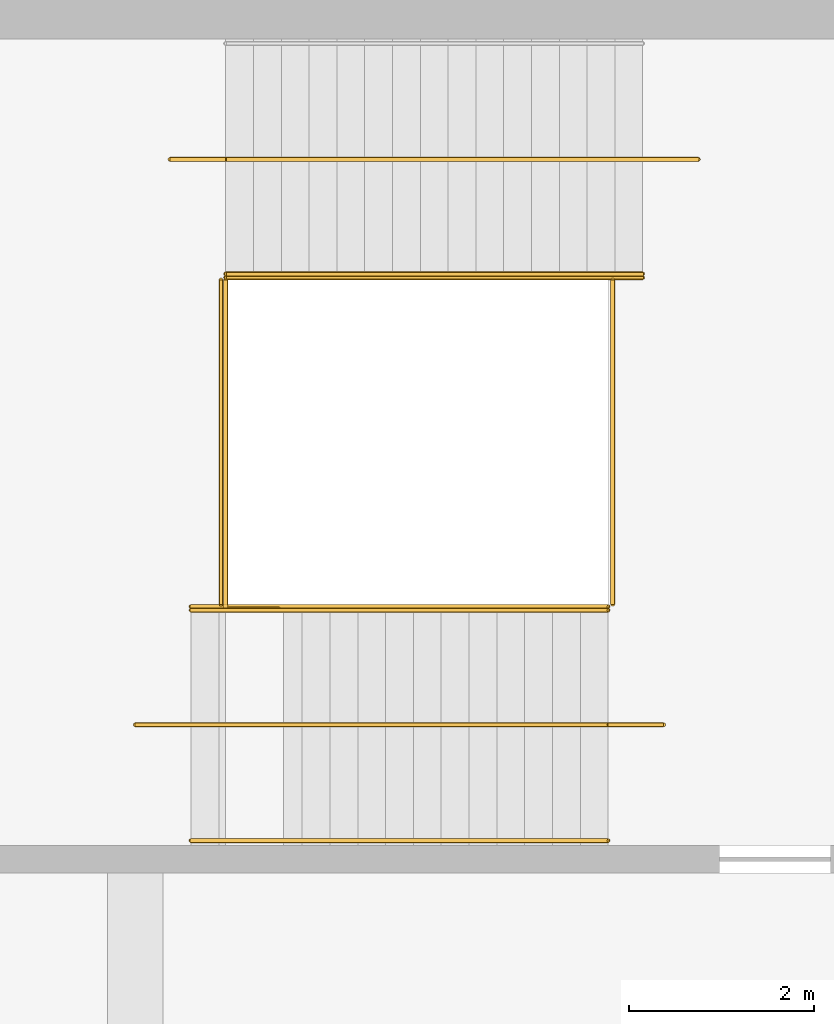
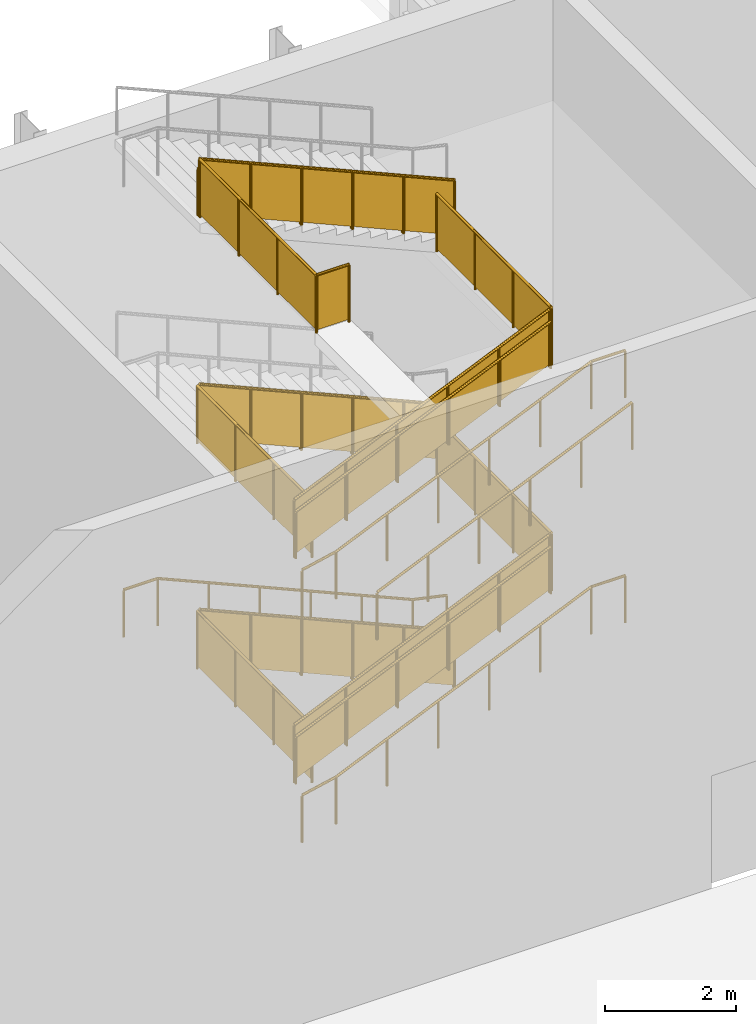
# One storey, part 172 of 182: 19 railings.
"""IFC4 building model written with IfcOpenShell, lengths in metres."""

from ifc_helpers import new_model, si_unit, direction, frame, origin, origin_2d, place, context, subcontext, project, spatial, polyline, circle, outline, extrude, material, type_object, element, save


model = new_model("IFC4")

# Units and contexts
model_context = context("Model", 3, precision=1e-05, world=origin(), true_north=direction((0.0, 1.0)))
body_context = subcontext(model_context, "Body", "Model", "MODEL_VIEW")
ifc_project = project(units=[si_unit("LENGTHUNIT", "METRE"), si_unit("AREAUNIT", "SQUARE_METRE"), si_unit("VOLUMEUNIT", "CUBIC_METRE"), si_unit("PLANEANGLEUNIT", "RADIAN"), si_unit("MASSUNIT", "GRAM", prefix="KILO")], contexts=[model_context])

# Site, building, storey
site_placement = place(None, origin())
site = spatial("IfcSite", under=ifc_project, at=site_placement, CompositionType="ELEMENT")
building_placement = place(site_placement, origin())
building = spatial("IfcBuilding", under=site, at=building_placement, Name="Silverbay Arena", CompositionType="ELEMENT")
storey_placement = place(building_placement, frame((0.0, 0.0, 11.5)))
storey = spatial("IfcBuildingStorey", under=building, at=storey_placement, Name="L02", CompositionType="ELEMENT", Elevation=11.5)

# Railings
ifc_material_1 = material(Name="Stainless steel", Category="steel")
railing_type_1 = type_object("IfcRailingType", Name="Stair guard 1100", PredefinedType="GUARDRAIL", material=ifc_material_1)
railing_1_placement = place(storey_placement, frame((113.47412109375, 141.425048828125, 0.13134765625)))
element("IfcRailing", 1, at=railing_1_placement, inside=storey, type_object=railing_type_1, Name="Stair ST-N2 L02 to L03 flight 1 guard left", PredefinedType="GUARDRAIL", context=body_context, shape_type="SweptSolid", body=[
    extrude(circle(Radius=0.02392578125, at=origin_2d()), frame((0.0, 0.0, 1.076171875), z_axis=(-0.916157334902, 0.0, 0.40081883402), x_axis=(0.0, -1.0, 0.0)), (0.0, 0.0, 1.0), 4.911865234375),
    extrude(outline(polyline([(-0.008056640625, 0.04638671875), (0.907958984375, 0.447265625), (0.907958984375, 1.4501953125), (-0.008056640625, 1.049560546875), (-0.008056640625, 0.04638671875)])), frame((0.0, -0.0029296875, 0.0), z_axis=(0.0, 1.0, 0.0), x_axis=(-1.0, 0.0, 0.0)), (0.0, 0.0, 1.0), 0.006103515625),
    extrude(outline(polyline([(-0.008056640625, 0.440185546875), (0.907958984375, 0.841064453125), (0.907958984375, 1.843994140625), (-0.008056640625, 1.443359375), (-0.008056640625, 0.440185546875)])), frame((-0.89990234375, -0.0029296875, 0.0), z_axis=(0.0, 1.0, 0.0), x_axis=(-1.0, 0.0, 0.0)), (0.0, 0.0, 1.0), 0.006103515625),
    extrude(outline(polyline([(-0.008056640625, 0.833984375), (0.907958984375, 1.23486328125), (0.907958984375, 2.23779296875), (-0.008056640625, 1.8369140625), (-0.008056640625, 0.833984375)])), frame((-1.800048828125, -0.0029296875, 0.0), z_axis=(0.0, 1.0, 0.0), x_axis=(-1.0, 0.0, 0.0)), (0.0, 0.0, 1.0), 0.006103515625),
    extrude(outline(polyline([(-0.008056640625, 1.227783203125), (0.907958984375, 1.62841796875), (0.907958984375, 2.631591796875), (-0.008056640625, 2.230712890625), (-0.008056640625, 1.227783203125)])), frame((-2.699951171875, -0.0029296875, 0.0), z_axis=(0.0, 1.0, 0.0), x_axis=(-1.0, 0.0, 0.0)), (0.0, 0.0, 1.0), 0.006103515625),
    extrude(outline(polyline([(-0.008056640625, 1.62158203125), (0.907958984375, 2.022216796875), (0.907958984375, 3.025146484375), (-0.008056640625, 2.62451171875), (-0.008056640625, 1.62158203125)])), frame((-3.60009765625, -0.0029296875, 0.0), z_axis=(0.0, 1.0, 0.0), x_axis=(-1.0, 0.0, 0.0)), (0.0, 0.0, 1.0), 0.006103515625),
    extrude(circle(Radius=0.02099609375, at=origin_2d()), origin(), (0.0, 0.0, 1.0), 1.052001953125),
    extrude(circle(Radius=0.02099609375, at=origin_2d()), frame((-0.89990234375, 0.0, 0.393798828125)), (0.0, 0.0, 1.0), 1.052001953125),
    extrude(circle(Radius=0.02099609375, at=origin_2d()), frame((-1.800048828125, 0.0, 0.78759765625)), (0.0, 0.0, 1.0), 1.052001953125),
    extrude(circle(Radius=0.02099609375, at=origin_2d()), frame((-2.699951171875, 0.0, 1.18115234375)), (0.0, 0.0, 1.0), 1.052001953125),
    extrude(circle(Radius=0.02099609375, at=origin_2d()), frame((-3.60009765625, 0.0, 1.574951171875)), (0.0, 0.0, 1.0), 1.052001953125),
    extrude(circle(Radius=0.02099609375, at=origin_2d()), frame((-4.5, 0.0, 1.96875)), (0.0, 0.0, 1.0), 1.052001953125),
])
railing_2_placement = place(storey_placement, frame((108.60009765625, 137.875, 2.231201171875)))
element("IfcRailing", 2, at=railing_2_placement, inside=storey, type_object=railing_type_1, Name="Stair ST-N2 L02 to L03 flight 2 guard right", PredefinedType="GUARDRAIL", context=body_context, shape_type="SweptSolid", body=[
    extrude(circle(Radius=0.02392578125, at=origin_2d()), frame((0.0, 0.0, 1.076171875), z_axis=(0.916157334902, 0.0, 0.40081883402), x_axis=(0.0, 1.0, 0.0)), (0.0, 0.0, 1.0), 4.911865234375),
    extrude(outline(polyline([(-0.008056640625, 0.04638671875), (0.907958984375, 0.447265625), (0.907958984375, 1.4501953125), (-0.008056640625, 1.049560546875), (-0.008056640625, 0.04638671875)])), frame((0.0, 0.0029296875, 0.0), z_axis=(0.0, -1.0, 0.0), x_axis=(1.0, 0.0, 0.0)), (0.0, 0.0, 1.0), 0.006103515625),
    extrude(outline(polyline([(-0.008056640625, 0.440185546875), (0.907958984375, 0.841064453125), (0.907958984375, 1.843994140625), (-0.008056640625, 1.443359375), (-0.008056640625, 0.440185546875)])), frame((0.89990234375, 0.0029296875, 0.0), z_axis=(0.0, -1.0, 0.0), x_axis=(1.0, 0.0, 0.0)), (0.0, 0.0, 1.0), 0.006103515625),
    extrude(outline(polyline([(-0.008056640625, 0.833984375), (0.907958984375, 1.23486328125), (0.907958984375, 2.23779296875), (-0.008056640625, 1.8369140625), (-0.008056640625, 0.833984375)])), frame((1.800048828125, 0.0029296875, 0.0), z_axis=(0.0, -1.0, 0.0), x_axis=(1.0, 0.0, 0.0)), (0.0, 0.0, 1.0), 0.006103515625),
    extrude(outline(polyline([(-0.008056640625, 1.227783203125), (0.907958984375, 1.62841796875), (0.907958984375, 2.631591796875), (-0.008056640625, 2.230712890625), (-0.008056640625, 1.227783203125)])), frame((2.699951171875, 0.0029296875, 0.0), z_axis=(0.0, -1.0, 0.0), x_axis=(1.0, 0.0, 0.0)), (0.0, 0.0, 1.0), 0.006103515625),
    extrude(outline(polyline([(-0.008056640625, 1.62158203125), (0.907958984375, 2.022216796875), (0.907958984375, 3.025146484375), (-0.008056640625, 2.62451171875), (-0.008056640625, 1.62158203125)])), frame((3.60009765625, 0.0029296875, 0.0), z_axis=(0.0, -1.0, 0.0), x_axis=(1.0, 0.0, 0.0)), (0.0, 0.0, 1.0), 0.006103515625),
    extrude(circle(Radius=0.02099609375, at=origin_2d()), origin(), (0.0, 0.0, 1.0), 1.052001953125),
    extrude(circle(Radius=0.02099609375, at=origin_2d()), frame((0.89990234375, 0.0, 0.393798828125)), (0.0, 0.0, 1.0), 1.052001953125),
    extrude(circle(Radius=0.02099609375, at=origin_2d()), frame((1.800048828125, 0.0, 0.78759765625)), (0.0, 0.0, 1.0), 1.052001953125),
    extrude(circle(Radius=0.02099609375, at=origin_2d()), frame((2.699951171875, 0.0, 1.18115234375)), (0.0, 0.0, 1.0), 1.052001953125),
    extrude(circle(Radius=0.02099609375, at=origin_2d()), frame((3.60009765625, 0.0, 1.574951171875)), (0.0, 0.0, 1.0), 1.052001953125),
    extrude(circle(Radius=0.02099609375, at=origin_2d()), frame((4.5, 0.0, 1.96875)), (0.0, 0.0, 1.0), 1.052001953125),
])
railing_3_placement = place(storey_placement, frame((113.47412109375, 141.425048828125, 4.331298828125)))
element("IfcRailing", 3, at=railing_3_placement, inside=storey, type_object=railing_type_1, Name="Stair ST-N2 L02 to L03 flight 3 guard left", PredefinedType="GUARDRAIL", context=body_context, shape_type="SweptSolid", body=[
    extrude(circle(Radius=0.02392578125, at=origin_2d()), frame((0.0, 0.0, 1.076171875), z_axis=(-0.916157334902, 0.0, 0.40081883402), x_axis=(0.0, -1.0, 0.0)), (0.0, 0.0, 1.0), 4.911865234375),
    extrude(outline(polyline([(-0.008056640625, 0.04638671875), (0.907958984375, 0.447265625), (0.907958984375, 1.4501953125), (-0.008056640625, 1.049560546875), (-0.008056640625, 0.04638671875)])), frame((0.0, -0.0029296875, 0.0), z_axis=(0.0, 1.0, 0.0), x_axis=(-1.0, 0.0, 0.0)), (0.0, 0.0, 1.0), 0.006103515625),
    extrude(outline(polyline([(-0.008056640625, 0.440185546875), (0.907958984375, 0.841064453125), (0.907958984375, 1.843994140625), (-0.008056640625, 1.443359375), (-0.008056640625, 0.440185546875)])), frame((-0.89990234375, -0.0029296875, 0.0), z_axis=(0.0, 1.0, 0.0), x_axis=(-1.0, 0.0, 0.0)), (0.0, 0.0, 1.0), 0.006103515625),
    extrude(outline(polyline([(-0.008056640625, 0.833984375), (0.907958984375, 1.23486328125), (0.907958984375, 2.23779296875), (-0.008056640625, 1.8369140625), (-0.008056640625, 0.833984375)])), frame((-1.800048828125, -0.0029296875, 0.0), z_axis=(0.0, 1.0, 0.0), x_axis=(-1.0, 0.0, 0.0)), (0.0, 0.0, 1.0), 0.006103515625),
    extrude(outline(polyline([(-0.008056640625, 1.227783203125), (0.907958984375, 1.62841796875), (0.907958984375, 2.631591796875), (-0.008056640625, 2.230712890625), (-0.008056640625, 1.227783203125)])), frame((-2.699951171875, -0.0029296875, 0.0), z_axis=(0.0, 1.0, 0.0), x_axis=(-1.0, 0.0, 0.0)), (0.0, 0.0, 1.0), 0.006103515625),
    extrude(outline(polyline([(-0.008056640625, 1.62158203125), (0.907958984375, 2.022216796875), (0.907958984375, 3.025146484375), (-0.008056640625, 2.62451171875), (-0.008056640625, 1.62158203125)])), frame((-3.60009765625, -0.0029296875, 0.0), z_axis=(0.0, 1.0, 0.0), x_axis=(-1.0, 0.0, 0.0)), (0.0, 0.0, 1.0), 0.006103515625),
    extrude(circle(Radius=0.02099609375, at=origin_2d()), origin(), (0.0, 0.0, 1.0), 1.052001953125),
    extrude(circle(Radius=0.02099609375, at=origin_2d()), frame((-0.89990234375, 0.0, 0.393798828125)), (0.0, 0.0, 1.0), 1.052001953125),
    extrude(circle(Radius=0.02099609375, at=origin_2d()), frame((-1.800048828125, 0.0, 0.78759765625)), (0.0, 0.0, 1.0), 1.052001953125),
    extrude(circle(Radius=0.02099609375, at=origin_2d()), frame((-2.699951171875, 0.0, 1.18115234375)), (0.0, 0.0, 1.0), 1.052001953125),
    extrude(circle(Radius=0.02099609375, at=origin_2d()), frame((-3.60009765625, 0.0, 1.574951171875)), (0.0, 0.0, 1.0), 1.052001953125),
    extrude(circle(Radius=0.02099609375, at=origin_2d()), frame((-4.5, 0.0, 1.96875)), (0.0, 0.0, 1.0), 1.052001953125),
])
railing_4_placement = place(storey_placement, frame((108.60009765625, 137.875, 6.43115234375)))
element("IfcRailing", 4, at=railing_4_placement, inside=storey, type_object=railing_type_1, Name="Stair ST-N2 L02 to L03 flight 4 guard right", PredefinedType="GUARDRAIL", context=body_context, shape_type="SweptSolid", body=[
    extrude(circle(Radius=0.02392578125, at=origin_2d()), frame((0.0, 0.0, 1.076171875), z_axis=(0.916157334902, 0.0, 0.40081883402), x_axis=(0.0, 1.0, 0.0)), (0.0, 0.0, 1.0), 4.911865234375),
    extrude(outline(polyline([(-0.008056640625, 0.04638671875), (0.907958984375, 0.447265625), (0.907958984375, 1.4501953125), (-0.008056640625, 1.049560546875), (-0.008056640625, 0.04638671875)])), frame((0.0, 0.0029296875, 0.0), z_axis=(0.0, -1.0, 0.0), x_axis=(1.0, 0.0, 0.0)), (0.0, 0.0, 1.0), 0.006103515625),
    extrude(outline(polyline([(-0.008056640625, 0.440185546875), (0.907958984375, 0.841064453125), (0.907958984375, 1.843994140625), (-0.008056640625, 1.443359375), (-0.008056640625, 0.440185546875)])), frame((0.89990234375, 0.0029296875, 0.0), z_axis=(0.0, -1.0, 0.0), x_axis=(1.0, 0.0, 0.0)), (0.0, 0.0, 1.0), 0.006103515625),
    extrude(outline(polyline([(-0.008056640625, 0.833984375), (0.907958984375, 1.23486328125), (0.907958984375, 2.23779296875), (-0.008056640625, 1.8369140625), (-0.008056640625, 0.833984375)])), frame((1.800048828125, 0.0029296875, 0.0), z_axis=(0.0, -1.0, 0.0), x_axis=(1.0, 0.0, 0.0)), (0.0, 0.0, 1.0), 0.006103515625),
    extrude(outline(polyline([(-0.008056640625, 1.227783203125), (0.907958984375, 1.62841796875), (0.907958984375, 2.631591796875), (-0.008056640625, 2.230712890625), (-0.008056640625, 1.227783203125)])), frame((2.699951171875, 0.0029296875, 0.0), z_axis=(0.0, -1.0, 0.0), x_axis=(1.0, 0.0, 0.0)), (0.0, 0.0, 1.0), 0.006103515625),
    extrude(outline(polyline([(-0.008056640625, 1.62158203125), (0.907958984375, 2.022216796875), (0.907958984375, 3.025146484375), (-0.008056640625, 2.62451171875), (-0.008056640625, 1.62158203125)])), frame((3.60009765625, 0.0029296875, 0.0), z_axis=(0.0, -1.0, 0.0), x_axis=(1.0, 0.0, 0.0)), (0.0, 0.0, 1.0), 0.006103515625),
    extrude(circle(Radius=0.02099609375, at=origin_2d()), origin(), (0.0, 0.0, 1.0), 1.052001953125),
    extrude(circle(Radius=0.02099609375, at=origin_2d()), frame((0.89990234375, 0.0, 0.393798828125)), (0.0, 0.0, 1.0), 1.052001953125),
    extrude(circle(Radius=0.02099609375, at=origin_2d()), frame((1.800048828125, 0.0, 0.78759765625)), (0.0, 0.0, 1.0), 1.052001953125),
    extrude(circle(Radius=0.02099609375, at=origin_2d()), frame((2.699951171875, 0.0, 1.18115234375)), (0.0, 0.0, 1.0), 1.052001953125),
    extrude(circle(Radius=0.02099609375, at=origin_2d()), frame((3.60009765625, 0.0, 1.574951171875)), (0.0, 0.0, 1.0), 1.052001953125),
    extrude(circle(Radius=0.02099609375, at=origin_2d()), frame((4.5, 0.0, 1.96875)), (0.0, 0.0, 1.0), 1.052001953125),
])
railing_5_placement = place(storey_placement, frame((113.47412109375, 141.425048828125, 8.53125)))
element("IfcRailing", 5, at=railing_5_placement, inside=storey, type_object=railing_type_1, Name="Stair ST-N2 L02 to L03 flight 5 guard left", PredefinedType="GUARDRAIL", context=body_context, shape_type="SweptSolid", body=[
    extrude(circle(Radius=0.02392578125, at=origin_2d()), frame((0.0, 0.0, 1.076171875), z_axis=(-0.916157334902, 0.0, 0.40081883402), x_axis=(0.0, -1.0, 0.0)), (0.0, 0.0, 1.0), 4.911865234375),
    extrude(outline(polyline([(-0.008056640625, 0.04638671875), (0.907958984375, 0.447265625), (0.907958984375, 1.4501953125), (-0.008056640625, 1.049560546875), (-0.008056640625, 0.04638671875)])), frame((0.0, -0.0029296875, 0.0), z_axis=(0.0, 1.0, 0.0), x_axis=(-1.0, 0.0, 0.0)), (0.0, 0.0, 1.0), 0.006103515625),
    extrude(outline(polyline([(-0.008056640625, 0.440185546875), (0.907958984375, 0.841064453125), (0.907958984375, 1.843994140625), (-0.008056640625, 1.443359375), (-0.008056640625, 0.440185546875)])), frame((-0.89990234375, -0.0029296875, 0.0), z_axis=(0.0, 1.0, 0.0), x_axis=(-1.0, 0.0, 0.0)), (0.0, 0.0, 1.0), 0.006103515625),
    extrude(outline(polyline([(-0.008056640625, 0.833984375), (0.907958984375, 1.23486328125), (0.907958984375, 2.23779296875), (-0.008056640625, 1.8369140625), (-0.008056640625, 0.833984375)])), frame((-1.800048828125, -0.0029296875, 0.0), z_axis=(0.0, 1.0, 0.0), x_axis=(-1.0, 0.0, 0.0)), (0.0, 0.0, 1.0), 0.006103515625),
    extrude(outline(polyline([(-0.008056640625, 1.227783203125), (0.907958984375, 1.62841796875), (0.907958984375, 2.631591796875), (-0.008056640625, 2.230712890625), (-0.008056640625, 1.227783203125)])), frame((-2.699951171875, -0.0029296875, 0.0), z_axis=(0.0, 1.0, 0.0), x_axis=(-1.0, 0.0, 0.0)), (0.0, 0.0, 1.0), 0.006103515625),
    extrude(outline(polyline([(-0.008056640625, 1.62158203125), (0.907958984375, 2.022216796875), (0.907958984375, 3.025146484375), (-0.008056640625, 2.62451171875), (-0.008056640625, 1.62158203125)])), frame((-3.60009765625, -0.0029296875, 0.0), z_axis=(0.0, 1.0, 0.0), x_axis=(-1.0, 0.0, 0.0)), (0.0, 0.0, 1.0), 0.006103515625),
    extrude(circle(Radius=0.02099609375, at=origin_2d()), origin(), (0.0, 0.0, 1.0), 1.052001953125),
    extrude(circle(Radius=0.02099609375, at=origin_2d()), frame((-0.89990234375, 0.0, 0.393798828125)), (0.0, 0.0, 1.0), 1.052001953125),
    extrude(circle(Radius=0.02099609375, at=origin_2d()), frame((-1.800048828125, 0.0, 0.78759765625)), (0.0, 0.0, 1.0), 1.052001953125),
    extrude(circle(Radius=0.02099609375, at=origin_2d()), frame((-2.699951171875, 0.0, 1.18115234375)), (0.0, 0.0, 1.0), 1.052001953125),
    extrude(circle(Radius=0.02099609375, at=origin_2d()), frame((-3.60009765625, 0.0, 1.574951171875)), (0.0, 0.0, 1.0), 1.052001953125),
    extrude(circle(Radius=0.02099609375, at=origin_2d()), frame((-4.5, 0.0, 1.96875)), (0.0, 0.0, 1.0), 1.052001953125),
])
for number, where, name in (
    (6, (108.92431640625, 137.89990234375, 2.10009765625), "Stair ST-N2 L02 to L03 landing 1 guard"),
    (7, (113.14990234375, 137.89990234375, 4.199951171875), "Stair ST-N2 L02 to L03 landing 2 guard"),
    (8, (108.92431640625, 137.89990234375, 6.300048828125), "Stair ST-N2 L02 to L03 landing 3 guard"),
    (9, (113.14990234375, 137.89990234375, 8.39990234375), "Stair ST-N2 L02 to L03 landing 4 guard"),
):
    element("IfcRailing", number, at=place(storey_placement, frame(where)), inside=storey, type_object=railing_type_1, Name=name, PredefinedType="GUARDRAIL", context=body_context, shape_type="SweptSolid", body=[
        extrude(circle(Radius=0.02392578125, at=origin_2d()), frame((0.0, 0.0, 1.076171875), z_axis=(0.0, 1.0, 0.0), x_axis=(-1.0, 0.0, 0.0)), (0.0, 0.0, 1.0), 3.5),
        extrude(outline(polyline([(-0.008056640625, 0.050048828125), (1.174560546875, 0.050048828125), (1.174560546875, 1.052978515625), (-0.008056640625, 1.052978515625), (-0.008056640625, 0.050048828125)])), frame((-0.0029296875, 0.0, 0.0), z_axis=(1.0, 0.0, 0.0), x_axis=(0.0, 1.0, 0.0)), (0.0, 0.0, 1.0), 0.006103515625),
        extrude(outline(polyline([(-0.008056640625, 0.050048828125), (1.174560546875, 0.050048828125), (1.174560546875, 1.052978515625), (-0.008056640625, 1.052978515625), (-0.008056640625, 0.050048828125)])), frame((-0.0029296875, 1.166748046875, 0.0), z_axis=(1.0, 0.0, 0.0), x_axis=(0.0, 1.0, 0.0)), (0.0, 0.0, 1.0), 0.006103515625),
        extrude(outline(polyline([(-0.008056640625, 0.050048828125), (1.174560546875, 0.050048828125), (1.174560546875, 1.052978515625), (-0.008056640625, 1.052978515625), (-0.008056640625, 0.050048828125)])), frame((-0.0029296875, 2.333251953125, 0.0), z_axis=(1.0, 0.0, 0.0), x_axis=(0.0, 1.0, 0.0)), (0.0, 0.0, 1.0), 0.006103515625),
        extrude(circle(Radius=0.02099609375, at=origin_2d()), origin(), (0.0, 0.0, 1.0), 1.052001953125),
        extrude(circle(Radius=0.02099609375, at=origin_2d()), frame((0.0, 1.166748046875, 0.0)), (0.0, 0.0, 1.0), 1.052001953125),
        extrude(circle(Radius=0.02099609375, at=origin_2d()), frame((0.0, 2.333251953125, 0.0)), (0.0, 0.0, 1.0), 1.052001953125),
        extrude(circle(Radius=0.02099609375, at=origin_2d()), frame((0.0, 3.5, 0.0)), (0.0, 0.0, 1.0), 1.052001953125),
    ])
railing_6_placement = place(storey_placement, frame((109.550048828125, 137.85009765625, 10.5)))
element("IfcRailing", 10, at=railing_6_placement, inside=storey, type_object=railing_type_1, Name="Stair ST-N2 L02 to L03 landing 5 guard", PredefinedType="GUARDRAIL", context=body_context, shape_type="SweptSolid", body=[
    extrude(circle(Radius=0.02392578125, at=origin_2d()), frame((0.0, 0.0, 1.076171875), z_axis=(-1.0, 0.0, 0.0), x_axis=(0.0, -1.0, 0.0)), (0.0, 0.0, 1.0), 0.575927734375),
    extrude(outline(polyline([(-0.008056640625, 0.050048828125), (0.583984375, 0.050048828125), (0.583984375, 1.052978515625), (-0.008056640625, 1.052978515625), (-0.008056640625, 0.050048828125)])), frame((0.0, -0.0029296875, 0.0), z_axis=(0.0, 1.0, 0.0), x_axis=(-1.0, 0.0, 0.0)), (0.0, 0.0, 1.0), 0.006103515625),
    extrude(circle(Radius=0.02392578125, at=origin_2d()), frame((-0.575927734375, 0.0, 1.076171875), z_axis=(0.0, 1.0, 0.0), x_axis=(-1.0, 0.0, 0.0)), (0.0, 0.0, 1.0), 3.5498046875),
    extrude(outline(polyline([(-0.008056640625, 0.050048828125), (1.191162109375, 0.050048828125), (1.191162109375, 1.052978515625), (-0.008056640625, 1.052978515625), (-0.008056640625, 0.050048828125)])), frame((-0.578857421875, 0.0, 0.0), z_axis=(1.0, 0.0, 0.0), x_axis=(0.0, 1.0, 0.0)), (0.0, 0.0, 1.0), 0.006103515625),
    extrude(outline(polyline([(-0.008056640625, 0.050048828125), (1.191162109375, 0.050048828125), (1.191162109375, 1.052978515625), (-0.008056640625, 1.052978515625), (-0.008056640625, 0.050048828125)])), frame((-0.578857421875, 1.183349609375, 0.0), z_axis=(1.0, 0.0, 0.0), x_axis=(0.0, 1.0, 0.0)), (0.0, 0.0, 1.0), 0.006103515625),
    extrude(outline(polyline([(-0.008056640625, 0.050048828125), (1.191162109375, 0.050048828125), (1.191162109375, 1.052978515625), (-0.008056640625, 1.052978515625), (-0.008056640625, 0.050048828125)])), frame((-0.578857421875, 2.366455078125, 0.0), z_axis=(1.0, 0.0, 0.0), x_axis=(0.0, 1.0, 0.0)), (0.0, 0.0, 1.0), 0.006103515625),
    extrude(circle(Radius=0.02099609375, at=origin_2d()), origin(), (0.0, 0.0, 1.0), 1.052001953125),
    extrude(circle(Radius=0.02099609375, at=origin_2d()), frame((-0.575927734375, 0.0, 0.0)), (0.0, 0.0, 1.0), 1.052001953125),
    extrude(circle(Radius=0.02099609375, at=origin_2d()), frame((-0.575927734375, 1.183349609375, 0.0)), (0.0, 0.0, 1.0), 1.052001953125),
    extrude(circle(Radius=0.02099609375, at=origin_2d()), frame((-0.575927734375, 2.366455078125, 0.0)), (0.0, 0.0, 1.0), 1.052001953125),
    extrude(circle(Radius=0.02099609375, at=origin_2d()), frame((-0.575927734375, 3.5498046875, 0.0)), (0.0, 0.0, 1.0), 1.052001953125),
])
ifc_material_2 = material(Name="Stainless steel", Category="steel")
railing_type_2 = type_object("IfcRailingType", Name="Stair handrail 900", PredefinedType="HANDRAIL", material=ifc_material_2)
railing_7_placement = place(storey_placement, frame((113.47412109375, 141.464111328125, 0.13134765625)))
element("IfcRailing", 11, at=railing_7_placement, inside=storey, type_object=railing_type_2, Name="Stair ST-N2 L02 to L03 flight 1 handrail left", PredefinedType="HANDRAIL", context=body_context, shape_type="SweptSolid", body=[
    extrude(circle(Radius=0.02392578125, at=origin_2d()), frame((0.0, 0.0, 0.8759765625), z_axis=(-0.916157334902, 0.0, 0.40081883402), x_axis=(0.0, -1.0, 0.0)), (0.0, 0.0, 1.0), 4.911865234375),
    extrude(circle(Radius=0.02099609375, at=origin_2d()), origin(), (0.0, 0.0, 1.0), 0.851806640625),
    extrude(circle(Radius=0.02099609375, at=origin_2d()), frame((-0.89990234375, 0.0, 0.393798828125)), (0.0, 0.0, 1.0), 0.851806640625),
    extrude(circle(Radius=0.02099609375, at=origin_2d()), frame((-1.800048828125, 0.0, 0.78759765625)), (0.0, 0.0, 1.0), 0.851806640625),
    extrude(circle(Radius=0.02099609375, at=origin_2d()), frame((-2.699951171875, 0.0, 1.18115234375)), (0.0, 0.0, 1.0), 0.851806640625),
    extrude(circle(Radius=0.02099609375, at=origin_2d()), frame((-3.60009765625, 0.0, 1.574951171875)), (0.0, 0.0, 1.0), 0.851806640625),
    extrude(circle(Radius=0.02099609375, at=origin_2d()), frame((-4.5, 0.0, 1.96875)), (0.0, 0.0, 1.0), 0.851806640625),
])
railing_8_placement = place(storey_placement, frame((114.07421875, 142.699951171875, 0.0)))
element("IfcRailing", 12, at=railing_8_placement, inside=storey, type_object=railing_type_2, Name="Stair ST-N2 L02 to L03 flight 1 central handrail", PredefinedType="HANDRAIL", context=body_context, shape_type="SweptSolid", body=[
    extrude(circle(Radius=0.02392578125, at=origin_2d()), frame((0.0, 0.0, 0.8759765625), z_axis=(-0.976874083041, 0.0, 0.213815401414), x_axis=(0.0, -1.0, 0.0)), (0.0, 0.0, 1.0), 0.6142578125),
    extrude(circle(Radius=0.02392578125, at=origin_2d()), frame((-0.60009765625, 0.0, 1.00732421875), z_axis=(-0.916157334902, 0.0, 0.40081883402), x_axis=(0.0, -1.0, 0.0)), (0.0, 0.0, 1.0), 4.911865234375),
    extrude(circle(Radius=0.02392578125, at=origin_2d()), frame((-5.10009765625, 0.0, 2.97607421875), z_axis=(-1.0, 0.0, 0.0), x_axis=(0.0, -1.0, 0.0)), (0.0, 0.0, 1.0), 0.599853515625),
    extrude(circle(Radius=0.02099609375, at=origin_2d()), origin(), (0.0, 0.0, 1.0), 0.851806640625),
    extrude(circle(Radius=0.02099609375, at=origin_2d()), frame((-0.60009765625, 0.0, 0.13134765625)), (0.0, 0.0, 1.0), 0.851806640625),
    extrude(circle(Radius=0.02099609375, at=origin_2d()), frame((-1.5, 0.0, 0.525146484375)), (0.0, 0.0, 1.0), 0.851806640625),
    extrude(circle(Radius=0.02099609375, at=origin_2d()), frame((-2.400146484375, 0.0, 0.9189453125)), (0.0, 0.0, 1.0), 0.851806640625),
    extrude(circle(Radius=0.02099609375, at=origin_2d()), frame((-3.300048828125, 0.0, 1.3125)), (0.0, 0.0, 1.0), 0.851806640625),
    extrude(circle(Radius=0.02099609375, at=origin_2d()), frame((-4.2001953125, 0.0, 1.706298828125)), (0.0, 0.0, 1.0), 0.851806640625),
    extrude(circle(Radius=0.02099609375, at=origin_2d()), frame((-5.10009765625, 0.0, 2.10009765625)), (0.0, 0.0, 1.0), 0.851806640625),
    extrude(circle(Radius=0.02099609375, at=origin_2d()), frame((-5.699951171875, 0.0, 2.10009765625)), (0.0, 0.0, 1.0), 0.851806640625),
])
railing_9_placement = place(storey_placement, frame((108.60009765625, 137.8359375, 2.231201171875)))
element("IfcRailing", 13, at=railing_9_placement, inside=storey, type_object=railing_type_2, Name="Stair ST-N2 L02 to L03 flight 2 handrail right", PredefinedType="HANDRAIL", context=body_context, shape_type="SweptSolid", body=[
    extrude(circle(Radius=0.02392578125, at=origin_2d()), frame((0.0, 0.0, 0.8759765625), z_axis=(0.916157334902, 0.0, 0.40081883402), x_axis=(0.0, 1.0, 0.0)), (0.0, 0.0, 1.0), 4.911865234375),
    extrude(circle(Radius=0.02099609375, at=origin_2d()), origin(), (0.0, 0.0, 1.0), 0.851806640625),
    extrude(circle(Radius=0.02099609375, at=origin_2d()), frame((0.89990234375, 0.0, 0.393798828125)), (0.0, 0.0, 1.0), 0.851806640625),
    extrude(circle(Radius=0.02099609375, at=origin_2d()), frame((1.800048828125, 0.0, 0.78759765625)), (0.0, 0.0, 1.0), 0.851806640625),
    extrude(circle(Radius=0.02099609375, at=origin_2d()), frame((2.699951171875, 0.0, 1.18115234375)), (0.0, 0.0, 1.0), 0.851806640625),
    extrude(circle(Radius=0.02099609375, at=origin_2d()), frame((3.60009765625, 0.0, 1.574951171875)), (0.0, 0.0, 1.0), 0.851806640625),
    extrude(circle(Radius=0.02099609375, at=origin_2d()), frame((4.5, 0.0, 1.96875)), (0.0, 0.0, 1.0), 0.851806640625),
])
railing_10_placement = place(storey_placement, frame((108.0, 136.60009765625, 2.10009765625)))
element("IfcRailing", 14, at=railing_10_placement, inside=storey, type_object=railing_type_2, Name="Stair ST-N2 L02 to L03 flight 2 central handrail", PredefinedType="HANDRAIL", context=body_context, shape_type="SweptSolid", body=[
    extrude(circle(Radius=0.02392578125, at=origin_2d()), frame((0.0, 0.0, 0.8759765625), z_axis=(0.976957027196, 0.0, 0.213436095852), x_axis=(0.0, 1.0, 0.0)), (0.0, 0.0, 1.0), 0.6142578125),
    extrude(circle(Radius=0.02392578125, at=origin_2d()), frame((0.60009765625, 0.0, 1.0068359375), z_axis=(0.916157334902, 0.0, 0.40081883402), x_axis=(0.0, 1.0, 0.0)), (0.0, 0.0, 1.0), 4.911865234375),
    extrude(circle(Radius=0.02392578125, at=origin_2d()), frame((5.10009765625, 0.0, 2.9755859375), z_axis=(1.0, 0.0, 0.0), x_axis=(0.0, 1.0, 0.0)), (0.0, 0.0, 1.0), 0.599853515625),
    extrude(circle(Radius=0.02099609375, at=origin_2d()), origin(), (0.0, 0.0, 1.0), 0.851806640625),
    extrude(circle(Radius=0.02099609375, at=origin_2d()), frame((0.60009765625, 0.0, 0.131103515625)), (0.0, 0.0, 1.0), 0.851806640625),
    extrude(circle(Radius=0.02099609375, at=origin_2d()), frame((1.5, 0.0, 0.52490234375)), (0.0, 0.0, 1.0), 0.851806640625),
    extrude(circle(Radius=0.02099609375, at=origin_2d()), frame((2.400146484375, 0.0, 0.918701171875)), (0.0, 0.0, 1.0), 0.851806640625),
    extrude(circle(Radius=0.02099609375, at=origin_2d()), frame((3.300048828125, 0.0, 1.312255859375)), (0.0, 0.0, 1.0), 0.851806640625),
    extrude(circle(Radius=0.02099609375, at=origin_2d()), frame((4.2001953125, 0.0, 1.7060546875)), (0.0, 0.0, 1.0), 0.851806640625),
    extrude(circle(Radius=0.02099609375, at=origin_2d()), frame((5.10009765625, 0.0, 2.099853515625)), (0.0, 0.0, 1.0), 0.851806640625),
    extrude(circle(Radius=0.02099609375, at=origin_2d()), frame((5.699951171875, 0.0, 2.099853515625)), (0.0, 0.0, 1.0), 0.851806640625),
])
railing_11_placement = place(storey_placement, frame((113.47412109375, 141.464111328125, 4.331298828125)))
element("IfcRailing", 15, at=railing_11_placement, inside=storey, type_object=railing_type_2, Name="Stair ST-N2 L02 to L03 flight 3 handrail left", PredefinedType="HANDRAIL", context=body_context, shape_type="SweptSolid", body=[
    extrude(circle(Radius=0.02392578125, at=origin_2d()), frame((0.0, 0.0, 0.8759765625), z_axis=(-0.916157334902, 0.0, 0.40081883402), x_axis=(0.0, -1.0, 0.0)), (0.0, 0.0, 1.0), 4.911865234375),
    extrude(circle(Radius=0.02099609375, at=origin_2d()), origin(), (0.0, 0.0, 1.0), 0.851806640625),
    extrude(circle(Radius=0.02099609375, at=origin_2d()), frame((-0.89990234375, 0.0, 0.393798828125)), (0.0, 0.0, 1.0), 0.851806640625),
    extrude(circle(Radius=0.02099609375, at=origin_2d()), frame((-1.800048828125, 0.0, 0.78759765625)), (0.0, 0.0, 1.0), 0.851806640625),
    extrude(circle(Radius=0.02099609375, at=origin_2d()), frame((-2.699951171875, 0.0, 1.18115234375)), (0.0, 0.0, 1.0), 0.851806640625),
    extrude(circle(Radius=0.02099609375, at=origin_2d()), frame((-3.60009765625, 0.0, 1.574951171875)), (0.0, 0.0, 1.0), 0.851806640625),
    extrude(circle(Radius=0.02099609375, at=origin_2d()), frame((-4.5, 0.0, 1.96875)), (0.0, 0.0, 1.0), 0.851806640625),
])
for number, where, name in (
    (16, (108.60009765625, 135.35009765625, 6.43115234375), "Stair ST-N2 L02 to L03 flight 4 handrail left"),
    (17, (108.60009765625, 137.8359375, 6.43115234375), "Stair ST-N2 L02 to L03 flight 4 handrail right"),
):
    element("IfcRailing", number, at=place(storey_placement, frame(where)), inside=storey, type_object=railing_type_2, Name=name, PredefinedType="HANDRAIL", context=body_context, shape_type="SweptSolid", body=[
        extrude(circle(Radius=0.02392578125, at=origin_2d()), frame((0.0, 0.0, 0.8759765625), z_axis=(0.916157334902, 0.0, 0.40081883402), x_axis=(0.0, 1.0, 0.0)), (0.0, 0.0, 1.0), 4.911865234375),
        extrude(circle(Radius=0.02099609375, at=origin_2d()), origin(), (0.0, 0.0, 1.0), 0.851806640625),
        extrude(circle(Radius=0.02099609375, at=origin_2d()), frame((0.89990234375, 0.0, 0.393798828125)), (0.0, 0.0, 1.0), 0.851806640625),
        extrude(circle(Radius=0.02099609375, at=origin_2d()), frame((1.800048828125, 0.0, 0.78759765625)), (0.0, 0.0, 1.0), 0.851806640625),
        extrude(circle(Radius=0.02099609375, at=origin_2d()), frame((2.699951171875, 0.0, 1.18115234375)), (0.0, 0.0, 1.0), 0.851806640625),
        extrude(circle(Radius=0.02099609375, at=origin_2d()), frame((3.60009765625, 0.0, 1.574951171875)), (0.0, 0.0, 1.0), 0.851806640625),
        extrude(circle(Radius=0.02099609375, at=origin_2d()), frame((4.5, 0.0, 1.96875)), (0.0, 0.0, 1.0), 0.851806640625),
    ])
railing_12_placement = place(storey_placement, frame((108.0, 136.60009765625, 6.300048828125)))
element("IfcRailing", 18, at=railing_12_placement, inside=storey, type_object=railing_type_2, Name="Stair ST-N2 L02 to L03 flight 4 central handrail", PredefinedType="HANDRAIL", context=body_context, shape_type="SweptSolid", body=[
    extrude(circle(Radius=0.02392578125, at=origin_2d()), frame((0.0, 0.0, 0.8759765625), z_axis=(0.976957027196, 0.0, 0.213436095852), x_axis=(0.0, 1.0, 0.0)), (0.0, 0.0, 1.0), 0.6142578125),
    extrude(circle(Radius=0.02392578125, at=origin_2d()), frame((0.60009765625, 0.0, 1.0068359375), z_axis=(0.916157334902, 0.0, 0.40081883402), x_axis=(0.0, 1.0, 0.0)), (0.0, 0.0, 1.0), 4.911865234375),
    extrude(circle(Radius=0.02392578125, at=origin_2d()), frame((5.10009765625, 0.0, 2.9755859375), z_axis=(1.0, 0.0, 0.0), x_axis=(0.0, 1.0, 0.0)), (0.0, 0.0, 1.0), 0.599853515625),
    extrude(circle(Radius=0.02099609375, at=origin_2d()), origin(), (0.0, 0.0, 1.0), 0.851806640625),
    extrude(circle(Radius=0.02099609375, at=origin_2d()), frame((0.60009765625, 0.0, 0.131103515625)), (0.0, 0.0, 1.0), 0.851806640625),
    extrude(circle(Radius=0.02099609375, at=origin_2d()), frame((1.5, 0.0, 0.52490234375)), (0.0, 0.0, 1.0), 0.851806640625),
    extrude(circle(Radius=0.02099609375, at=origin_2d()), frame((2.400146484375, 0.0, 0.918701171875)), (0.0, 0.0, 1.0), 0.851806640625),
    extrude(circle(Radius=0.02099609375, at=origin_2d()), frame((3.300048828125, 0.0, 1.312255859375)), (0.0, 0.0, 1.0), 0.851806640625),
    extrude(circle(Radius=0.02099609375, at=origin_2d()), frame((4.2001953125, 0.0, 1.7060546875)), (0.0, 0.0, 1.0), 0.851806640625),
    extrude(circle(Radius=0.02099609375, at=origin_2d()), frame((5.10009765625, 0.0, 2.099853515625)), (0.0, 0.0, 1.0), 0.851806640625),
    extrude(circle(Radius=0.02099609375, at=origin_2d()), frame((5.699951171875, 0.0, 2.099853515625)), (0.0, 0.0, 1.0), 0.851806640625),
])
railing_13_placement = place(storey_placement, frame((113.47412109375, 141.464111328125, 8.53125)))
element("IfcRailing", 19, at=railing_13_placement, inside=storey, type_object=railing_type_2, Name="Stair ST-N2 L02 to L03 flight 5 handrail left", PredefinedType="HANDRAIL", context=body_context, shape_type="SweptSolid", body=[
    extrude(circle(Radius=0.02392578125, at=origin_2d()), frame((0.0, 0.0, 0.8759765625), z_axis=(-0.916157334902, 0.0, 0.40081883402), x_axis=(0.0, -1.0, 0.0)), (0.0, 0.0, 1.0), 4.911865234375),
    extrude(circle(Radius=0.02099609375, at=origin_2d()), origin(), (0.0, 0.0, 1.0), 0.851806640625),
    extrude(circle(Radius=0.02099609375, at=origin_2d()), frame((-0.89990234375, 0.0, 0.393798828125)), (0.0, 0.0, 1.0), 0.851806640625),
    extrude(circle(Radius=0.02099609375, at=origin_2d()), frame((-1.800048828125, 0.0, 0.78759765625)), (0.0, 0.0, 1.0), 0.851806640625),
    extrude(circle(Radius=0.02099609375, at=origin_2d()), frame((-2.699951171875, 0.0, 1.18115234375)), (0.0, 0.0, 1.0), 0.851806640625),
    extrude(circle(Radius=0.02099609375, at=origin_2d()), frame((-3.60009765625, 0.0, 1.574951171875)), (0.0, 0.0, 1.0), 0.851806640625),
    extrude(circle(Radius=0.02099609375, at=origin_2d()), frame((-4.5, 0.0, 1.96875)), (0.0, 0.0, 1.0), 0.851806640625),
])

save(model, "model.ifc")
